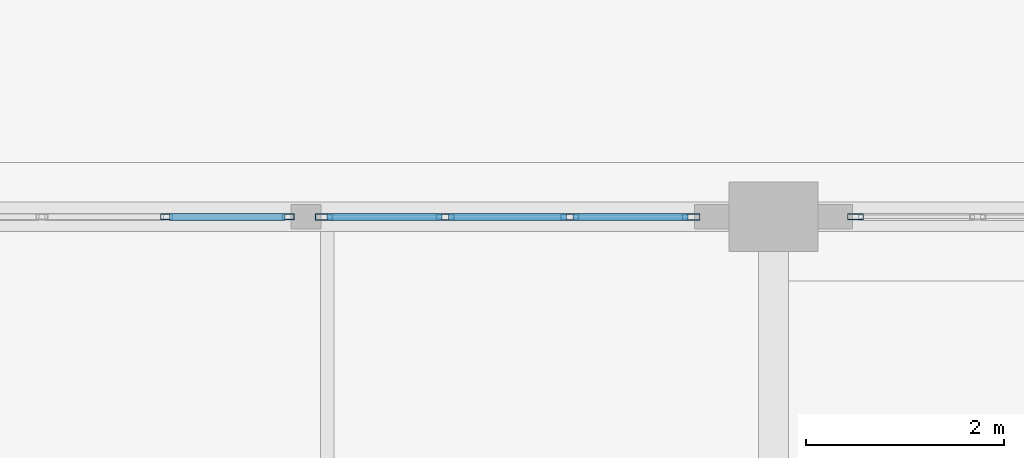
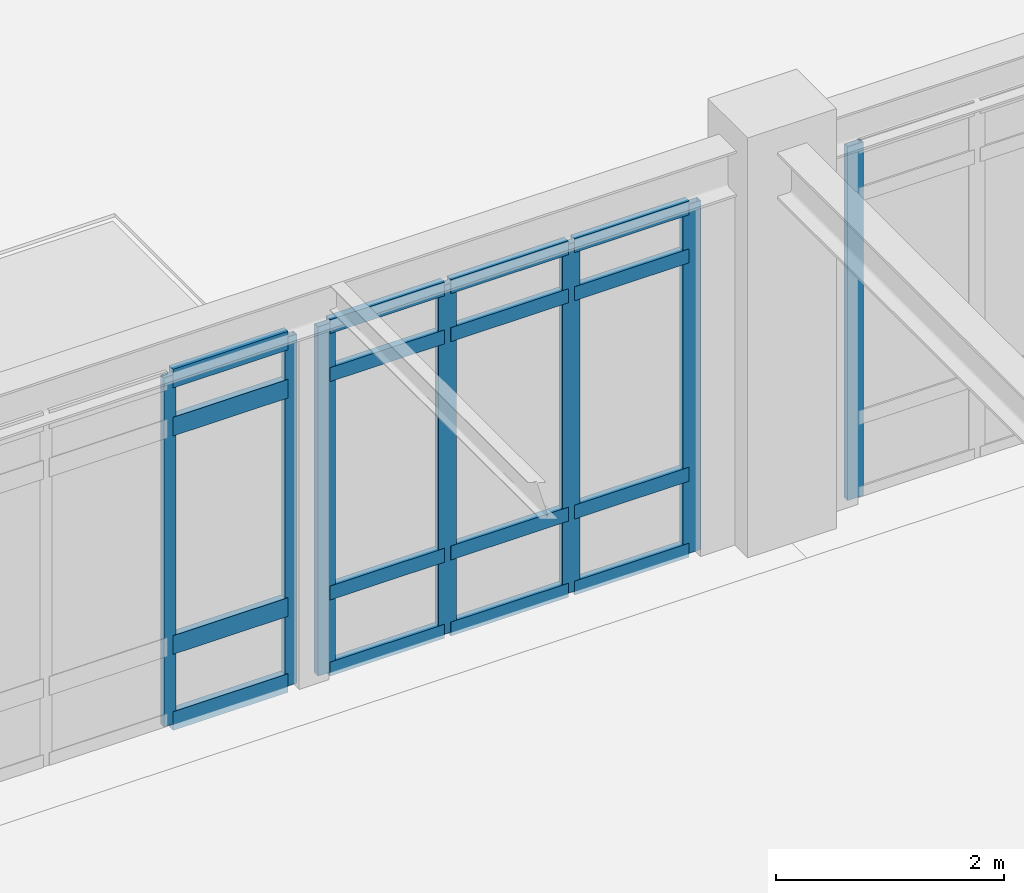
# One storey, part 29 of 55: 23 members, 3 elements without a shape of their own.
"""IFC4 building model written with IfcOpenShell, lengths in metres."""

from ifc_helpers import new_model, si_unit, direction, frame, origin, origin_2d, place, context, subcontext, project, spatial, hollow_rectangle, extrude, material, layer, layer_set, material_profile, profile_set, type_object, element, aggregate, save


model = new_model("IFC4")

# Units and contexts
model_context = context("Model", 3, precision=1e-05, world=origin(), true_north=direction((0.0, 1.0)))
body_context = subcontext(model_context, "Body", "Model", "MODEL_VIEW")
ifc_project = project(units=[si_unit("LENGTHUNIT", "METRE"), si_unit("AREAUNIT", "SQUARE_METRE"), si_unit("VOLUMEUNIT", "CUBIC_METRE"), si_unit("PLANEANGLEUNIT", "RADIAN"), si_unit("MASSUNIT", "GRAM", prefix="KILO")], contexts=[model_context])

# Site, building, storey
site_placement = place(None, origin())
site = spatial("IfcSite", under=ifc_project, at=site_placement, CompositionType="ELEMENT")
building_placement = place(site_placement, origin())
building = spatial("IfcBuilding", under=site, at=building_placement, Name="Fikremerkos Civic Library", CompositionType="ELEMENT")
storey_placement = place(building_placement, frame((0.0, 0.0, 18.89990234375)))
storey = spatial("IfcBuildingStorey", under=building, at=storey_placement, Name="L04", CompositionType="ELEMENT", Elevation=18.89990234375)

# Curtain wall, members
ifc_material = material(Name="Anodized aluminium Frame", Category="aluminium")
ifc_layer_1 = layer(ifc_material, 0.159912109375, Name="Anodized aluminium Frame")
ifc_layer_set_1 = layer_set([ifc_layer_1], Name="Anodized aluminium Frame")
curtain_wall_type_1 = type_object("IfcCurtainWallType", Name="Unitised curtain wall CW-09 3600x3400", PredefinedType="USERDEFINED", material=ifc_layer_set_1)
curtain_wall_1_placement = place(storey_placement, origin())
curtain_wall_1 = element("IfcCurtainWall", 1, at=curtain_wall_1_placement, inside=storey, type_object=curtain_wall_type_1, Name="Unitised curtain wall CW-09 L04 #243", ObjectType="UNITISED CURTAIN WALL", PredefinedType="USERDEFINED")
ifc_material_profile_1 = material_profile(ifc_material, hollow_rectangle(XDim=0.06494140625, YDim=0.179931640625, WallThickness=0.00439453125, at=origin_2d()), Name="ALU 180x65x4.5")
ifc_profile_set_1 = profile_set([ifc_material_profile_1], Name="Anodized aluminium Frame")
member_type_1 = type_object("IfcMemberType", Name="Curtain mullion CWM-01 ALU 180x65x4.5", PredefinedType="MULLION", material=ifc_profile_set_1)
member_1_placement = place(storey_placement, frame((82.16650390625, 31.199951171875, 0.0), z_axis=(0.0, 0.0, 1.0), x_axis=(0.0, 1.0, 0.0)))
member_1 = element("IfcMember", 2, at=member_1_placement, type_object=member_type_1, Name="CW-09 mullion 1", PredefinedType="MULLION", context=body_context, shape_type="SweptSolid", body=[
    extrude(hollow_rectangle(XDim=0.06494140625, YDim=0.179931640625, WallThickness=0.00439453125, at=origin_2d()), origin(), (0.0, 0.0, 1.0), 3.739990234375),
])
member_2_placement = place(storey_placement, frame((83.389892578125, 31.199951171875, 0.0), z_axis=(0.0, 0.0, 1.0), x_axis=(0.0, 1.0, 0.0)))
member_2 = element("IfcMember", 3, at=member_2_placement, type_object=member_type_1, Name="CW-09 mullion 2", PredefinedType="MULLION", context=body_context, shape_type="SweptSolid", body=[
    extrude(hollow_rectangle(XDim=0.06494140625, YDim=0.179931640625, WallThickness=0.00439453125, at=origin_2d()), origin(), (0.0, 0.0, 1.0), 3.739990234375),
])
member_3_placement = place(storey_placement, frame((84.64599609375, 31.199951171875, 0.0), z_axis=(0.0, 0.0, 1.0), x_axis=(0.0, 1.0, 0.0)))
member_3 = element("IfcMember", 4, at=member_3_placement, type_object=member_type_1, Name="CW-09 mullion 3", PredefinedType="MULLION", context=body_context, shape_type="SweptSolid", body=[
    extrude(hollow_rectangle(XDim=0.06494140625, YDim=0.179931640625, WallThickness=0.00439453125, at=origin_2d()), origin(), (0.0, 0.0, 1.0), 3.739990234375),
])
member_4_placement = place(storey_placement, frame((85.869384765625, 31.199951171875, 0.0), z_axis=(0.0, 0.0, 1.0), x_axis=(0.0, 1.0, 0.0)))
member_4 = element("IfcMember", 5, at=member_4_placement, type_object=member_type_1, Name="CW-09 mullion 4", PredefinedType="MULLION", context=body_context, shape_type="SweptSolid", body=[
    extrude(hollow_rectangle(XDim=0.06494140625, YDim=0.179931640625, WallThickness=0.00439453125, at=origin_2d()), origin(), (0.0, 0.0, 1.0), 3.739990234375),
])

# Curtain wall, member
ifc_layer_2 = layer(ifc_material, 0.159912109375, Name="Anodized aluminium Frame")
ifc_layer_set_2 = layer_set([ifc_layer_2], Name="Anodized aluminium Frame")
curtain_wall_type_2 = type_object("IfcCurtainWallType", Name="Unitised curtain wall CW-10 4000x3400", PredefinedType="USERDEFINED", material=ifc_layer_set_2)
curtain_wall_2_placement = place(storey_placement, origin())
curtain_wall_2 = element("IfcCurtainWall", 6, at=curtain_wall_2_placement, inside=storey, type_object=curtain_wall_type_2, Name="Unitised curtain wall CW-10 L04 #244", ObjectType="UNITISED CURTAIN WALL", PredefinedType="USERDEFINED")
ifc_material_profile_2 = material_profile(ifc_material, hollow_rectangle(XDim=0.06005859375, YDim=0.159912109375, WallThickness=0.00390625, at=origin_2d()), Name="ALU 160x60x4")
ifc_profile_set_2 = profile_set([ifc_material_profile_2], Name="Anodized aluminium Frame")
member_type_2 = type_object("IfcMemberType", Name="Curtain mullion CWM-02 ALU 160x60x4", PredefinedType="MULLION", material=ifc_profile_set_2)
member_5_placement = place(storey_placement, frame((87.528076171875, 31.199951171875, 0.0), z_axis=(0.0, 0.0, 1.0), x_axis=(0.0, 1.0, 0.0)))
member_5 = element("IfcMember", 7, at=member_5_placement, type_object=member_type_2, Name="CW-10 mullion 1", PredefinedType="MULLION", context=body_context, shape_type="SweptSolid", body=[
    extrude(hollow_rectangle(XDim=0.06005859375, YDim=0.159912109375, WallThickness=0.00390625, at=origin_2d()), origin(), (0.0, 0.0, 1.0), 3.7900390625),
])
aggregate(curtain_wall_2, [member_5])

# Curtain wall, members
ifc_layer_3 = layer(ifc_material, 0.159912109375, Name="Anodized aluminium Frame")
ifc_layer_set_3 = layer_set([ifc_layer_3], Name="Anodized aluminium Frame")
curtain_wall_type_3 = type_object("IfcCurtainWallType", Name="Unitised curtain wall CW-08 4500x4100", PredefinedType="USERDEFINED", material=ifc_layer_set_3)
curtain_wall_3_placement = place(storey_placement, origin())
curtain_wall_3 = element("IfcCurtainWall", 8, at=curtain_wall_3_placement, inside=storey, type_object=curtain_wall_type_3, Name="Unitised curtain wall CW-08 L04 #242", ObjectType="UNITISED CURTAIN WALL", PredefinedType="USERDEFINED")
ifc_material_profile_3 = material_profile(ifc_material, hollow_rectangle(XDim=0.06005859375, YDim=0.1201171875, WallThickness=0.00390625, at=origin_2d()), Name="ALU 120x60x4")
ifc_profile_set_3 = profile_set([ifc_material_profile_3], Name="Anodized aluminium Frame")
member_type_3 = type_object("IfcMemberType", Name="Curtain mullion CWM-04 ALU 120x60x4", PredefinedType="MULLION", material=ifc_profile_set_3)
member_6_placement = place(storey_placement, frame((80.577880859375, 31.199951171875, 0.0), z_axis=(0.0, 0.0, 1.0), x_axis=(0.0, 1.0, 0.0)))
member_6 = element("IfcMember", 9, at=member_6_placement, type_object=member_type_3, Name="CW-08 mullion 3", PredefinedType="MULLION", context=body_context, shape_type="SweptSolid", body=[
    extrude(hollow_rectangle(XDim=0.06005859375, YDim=0.1201171875, WallThickness=0.00390625, at=origin_2d()), origin(), (0.0, 0.0, 1.0), 3.739990234375),
])
member_7_placement = place(storey_placement, frame((81.803955078125, 31.199951171875, 0.0), z_axis=(0.0, 0.0, 1.0), x_axis=(0.0, 1.0, 0.0)))
member_7 = element("IfcMember", 10, at=member_7_placement, type_object=member_type_3, Name="CW-08 mullion 4", PredefinedType="MULLION", context=body_context, shape_type="SweptSolid", body=[
    extrude(hollow_rectangle(XDim=0.06005859375, YDim=0.1201171875, WallThickness=0.00390625, at=origin_2d()), origin(), (0.0, 0.0, 1.0), 3.739990234375),
])

# Member
ifc_material_profile_4 = material_profile(ifc_material, hollow_rectangle(XDim=0.070068359375, YDim=0.14990234375, WallThickness=0.00439453125, at=origin_2d()), Name="ALU 150x70x4.5")
ifc_profile_set_4 = profile_set([ifc_material_profile_4], Name="Anodized aluminium Frame")
member_type_4 = type_object("IfcMemberType", Name="Curtain transom CWT-01 ALU 150x70x4.5", PredefinedType="USERDEFINED", material=ifc_profile_set_4)
member_8_placement = place(storey_placement, frame((82.198974609375, 31.199951171875, 0.03515625), z_axis=(1.0, 0.0, 0.0), x_axis=(0.0, 1.0, 0.0)))
member_8 = element("IfcMember", 11, at=member_8_placement, type_object=member_type_4, Name="CW-09 transom 1.1", ObjectType="TRANSOM", PredefinedType="USERDEFINED", context=body_context, shape_type="SweptSolid", body=[
    extrude(hollow_rectangle(XDim=0.070068359375, YDim=0.14990234375, WallThickness=0.00439453125, at=origin_2d()), origin(), (0.0, 0.0, 1.0), 1.158447265625),
])

member_9_placement = place(storey_placement, frame((82.198974609375, 31.199951171875, 0.85009765625), z_axis=(1.0, 0.0, 0.0), x_axis=(0.0, 1.0, 0.0)))
member_9 = element("IfcMember", 12, at=member_9_placement, type_object=member_type_4, Name="CW-09 transom 1.2", ObjectType="TRANSOM", PredefinedType="USERDEFINED", context=body_context, shape_type="SweptSolid", body=[
    extrude(hollow_rectangle(XDim=0.070068359375, YDim=0.14990234375, WallThickness=0.00439453125, at=origin_2d()), origin(), (0.0, 0.0, 1.0), 1.158447265625),
])

member_10_placement = place(storey_placement, frame((82.198974609375, 31.199951171875, 3.190185546875), z_axis=(1.0, 0.0, 0.0), x_axis=(0.0, 1.0, 0.0)))
member_10 = element("IfcMember", 13, at=member_10_placement, type_object=member_type_4, Name="CW-09 transom 1.3", ObjectType="TRANSOM", PredefinedType="USERDEFINED", context=body_context, shape_type="SweptSolid", body=[
    extrude(hollow_rectangle(XDim=0.070068359375, YDim=0.14990234375, WallThickness=0.00439453125, at=origin_2d()), origin(), (0.0, 0.0, 1.0), 1.158447265625),
])

member_11_placement = place(storey_placement, frame((82.198974609375, 31.199951171875, 3.705078125), z_axis=(1.0, 0.0, 0.0), x_axis=(0.0, 1.0, 0.0)))
member_11 = element("IfcMember", 14, at=member_11_placement, type_object=member_type_4, Name="CW-09 transom 1.4", ObjectType="TRANSOM", PredefinedType="USERDEFINED", context=body_context, shape_type="SweptSolid", body=[
    extrude(hollow_rectangle(XDim=0.070068359375, YDim=0.14990234375, WallThickness=0.00439453125, at=origin_2d()), origin(), (0.0, 0.0, 1.0), 1.158447265625),
])

member_12_placement = place(storey_placement, frame((83.422607421875, 31.199951171875, 0.03515625), z_axis=(1.0, 0.0, 0.0), x_axis=(0.0, 1.0, 0.0)))
member_12 = element("IfcMember", 15, at=member_12_placement, type_object=member_type_4, Name="CW-09 transom 2.1", ObjectType="TRANSOM", PredefinedType="USERDEFINED", context=body_context, shape_type="SweptSolid", body=[
    extrude(hollow_rectangle(XDim=0.070068359375, YDim=0.14990234375, WallThickness=0.00439453125, at=origin_2d()), origin(), (0.0, 0.0, 1.0), 1.19091796875),
])

member_13_placement = place(storey_placement, frame((83.422607421875, 31.199951171875, 0.85009765625), z_axis=(1.0, 0.0, 0.0), x_axis=(0.0, 1.0, 0.0)))
member_13 = element("IfcMember", 16, at=member_13_placement, type_object=member_type_4, Name="CW-09 transom 2.2", ObjectType="TRANSOM", PredefinedType="USERDEFINED", context=body_context, shape_type="SweptSolid", body=[
    extrude(hollow_rectangle(XDim=0.070068359375, YDim=0.14990234375, WallThickness=0.00439453125, at=origin_2d()), origin(), (0.0, 0.0, 1.0), 1.19091796875),
])

member_14_placement = place(storey_placement, frame((83.422607421875, 31.199951171875, 3.190185546875), z_axis=(1.0, 0.0, 0.0), x_axis=(0.0, 1.0, 0.0)))
member_14 = element("IfcMember", 17, at=member_14_placement, type_object=member_type_4, Name="CW-09 transom 2.3", ObjectType="TRANSOM", PredefinedType="USERDEFINED", context=body_context, shape_type="SweptSolid", body=[
    extrude(hollow_rectangle(XDim=0.070068359375, YDim=0.14990234375, WallThickness=0.00439453125, at=origin_2d()), origin(), (0.0, 0.0, 1.0), 1.19091796875),
])

member_15_placement = place(storey_placement, frame((83.422607421875, 31.199951171875, 3.705078125), z_axis=(1.0, 0.0, 0.0), x_axis=(0.0, 1.0, 0.0)))
member_15 = element("IfcMember", 18, at=member_15_placement, type_object=member_type_4, Name="CW-09 transom 2.4", ObjectType="TRANSOM", PredefinedType="USERDEFINED", context=body_context, shape_type="SweptSolid", body=[
    extrude(hollow_rectangle(XDim=0.070068359375, YDim=0.14990234375, WallThickness=0.00439453125, at=origin_2d()), origin(), (0.0, 0.0, 1.0), 1.19091796875),
])

member_16_placement = place(storey_placement, frame((84.678466796875, 31.199951171875, 0.03515625), z_axis=(1.0, 0.0, 0.0), x_axis=(0.0, 1.0, 0.0)))
member_16 = element("IfcMember", 19, at=member_16_placement, type_object=member_type_4, Name="CW-09 transom 3.1", ObjectType="TRANSOM", PredefinedType="USERDEFINED", context=body_context, shape_type="SweptSolid", body=[
    extrude(hollow_rectangle(XDim=0.070068359375, YDim=0.14990234375, WallThickness=0.00439453125, at=origin_2d()), origin(), (0.0, 0.0, 1.0), 1.158447265625),
])

member_17_placement = place(storey_placement, frame((84.678466796875, 31.199951171875, 0.85009765625), z_axis=(1.0, 0.0, 0.0), x_axis=(0.0, 1.0, 0.0)))
member_17 = element("IfcMember", 20, at=member_17_placement, type_object=member_type_4, Name="CW-09 transom 3.2", ObjectType="TRANSOM", PredefinedType="USERDEFINED", context=body_context, shape_type="SweptSolid", body=[
    extrude(hollow_rectangle(XDim=0.070068359375, YDim=0.14990234375, WallThickness=0.00439453125, at=origin_2d()), origin(), (0.0, 0.0, 1.0), 1.158447265625),
])

member_18_placement = place(storey_placement, frame((84.678466796875, 31.199951171875, 3.190185546875), z_axis=(1.0, 0.0, 0.0), x_axis=(0.0, 1.0, 0.0)))
member_18 = element("IfcMember", 21, at=member_18_placement, type_object=member_type_4, Name="CW-09 transom 3.3", ObjectType="TRANSOM", PredefinedType="USERDEFINED", context=body_context, shape_type="SweptSolid", body=[
    extrude(hollow_rectangle(XDim=0.070068359375, YDim=0.14990234375, WallThickness=0.00439453125, at=origin_2d()), origin(), (0.0, 0.0, 1.0), 1.158447265625),
])

member_19_placement = place(storey_placement, frame((84.678466796875, 31.199951171875, 3.705078125), z_axis=(1.0, 0.0, 0.0), x_axis=(0.0, 1.0, 0.0)))
member_19 = element("IfcMember", 22, at=member_19_placement, type_object=member_type_4, Name="CW-09 transom 3.4", ObjectType="TRANSOM", PredefinedType="USERDEFINED", context=body_context, shape_type="SweptSolid", body=[
    extrude(hollow_rectangle(XDim=0.070068359375, YDim=0.14990234375, WallThickness=0.00439453125, at=origin_2d()), origin(), (0.0, 0.0, 1.0), 1.158447265625),
])

aggregate(curtain_wall_1, [member_1, member_2, member_3, member_4, member_8, member_9, member_10, member_11, member_12, member_13, member_14, member_15, member_16, member_17, member_18, member_19])

ifc_material_profile_5 = material_profile(ifc_material, hollow_rectangle(XDim=0.070068359375, YDim=0.199951171875, WallThickness=0.0048828125, at=origin_2d()), Name="ALU 200x70x5")
ifc_profile_set_5 = profile_set([ifc_material_profile_5], Name="Anodized aluminium Frame")
member_type_5 = type_object("IfcMemberType", Name="Curtain transom CWT-04 ALU 200x70x5", PredefinedType="USERDEFINED", material=ifc_profile_set_5)
member_20_placement = place(storey_placement, frame((80.60791015625, 31.199951171875, 0.03515625), z_axis=(1.0, 0.0, 0.0), x_axis=(0.0, 1.0, 0.0)))
member_20 = element("IfcMember", 23, at=member_20_placement, type_object=member_type_5, Name="CW-08 transom 3.1", ObjectType="TRANSOM", PredefinedType="USERDEFINED", context=body_context, shape_type="SweptSolid", body=[
    extrude(hollow_rectangle(XDim=0.070068359375, YDim=0.199951171875, WallThickness=0.0048828125, at=origin_2d()), origin(), (0.0, 0.0, 1.0), 1.166015625),
])

member_21_placement = place(storey_placement, frame((80.60791015625, 31.199951171875, 0.85009765625), z_axis=(1.0, 0.0, 0.0), x_axis=(0.0, 1.0, 0.0)))
member_21 = element("IfcMember", 24, at=member_21_placement, type_object=member_type_5, Name="CW-08 transom 3.2", ObjectType="TRANSOM", PredefinedType="USERDEFINED", context=body_context, shape_type="SweptSolid", body=[
    extrude(hollow_rectangle(XDim=0.070068359375, YDim=0.199951171875, WallThickness=0.0048828125, at=origin_2d()), origin(), (0.0, 0.0, 1.0), 1.166015625),
])

member_22_placement = place(storey_placement, frame((80.60791015625, 31.199951171875, 3.190185546875), z_axis=(1.0, 0.0, 0.0), x_axis=(0.0, 1.0, 0.0)))
member_22 = element("IfcMember", 25, at=member_22_placement, type_object=member_type_5, Name="CW-08 transom 3.3", ObjectType="TRANSOM", PredefinedType="USERDEFINED", context=body_context, shape_type="SweptSolid", body=[
    extrude(hollow_rectangle(XDim=0.070068359375, YDim=0.199951171875, WallThickness=0.0048828125, at=origin_2d()), origin(), (0.0, 0.0, 1.0), 1.166015625),
])

member_23_placement = place(storey_placement, frame((80.60791015625, 31.199951171875, 3.705078125), z_axis=(1.0, 0.0, 0.0), x_axis=(0.0, 1.0, 0.0)))
member_23 = element("IfcMember", 26, at=member_23_placement, type_object=member_type_5, Name="CW-08 transom 3.4", ObjectType="TRANSOM", PredefinedType="USERDEFINED", context=body_context, shape_type="SweptSolid", body=[
    extrude(hollow_rectangle(XDim=0.070068359375, YDim=0.199951171875, WallThickness=0.0048828125, at=origin_2d()), origin(), (0.0, 0.0, 1.0), 1.166015625),
])

aggregate(curtain_wall_3, [member_6, member_7, member_20, member_21, member_22, member_23])

save(model, "model.ifc")
